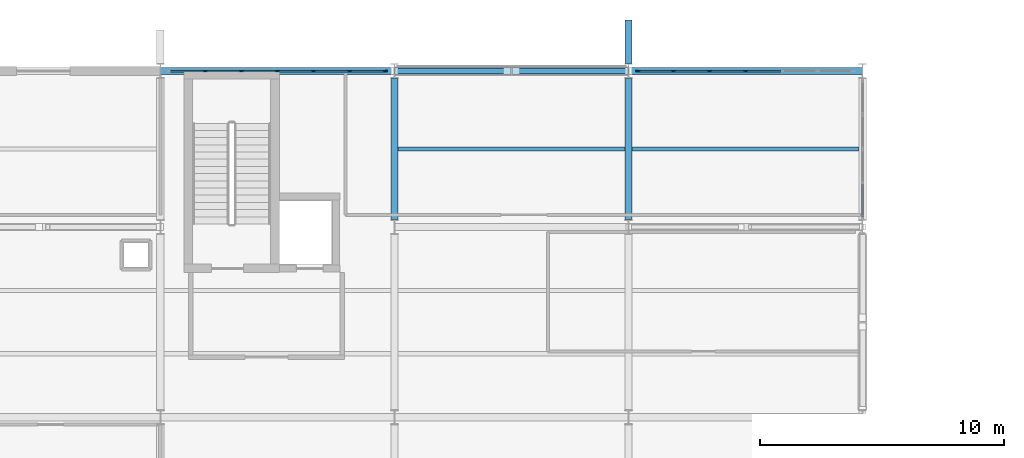
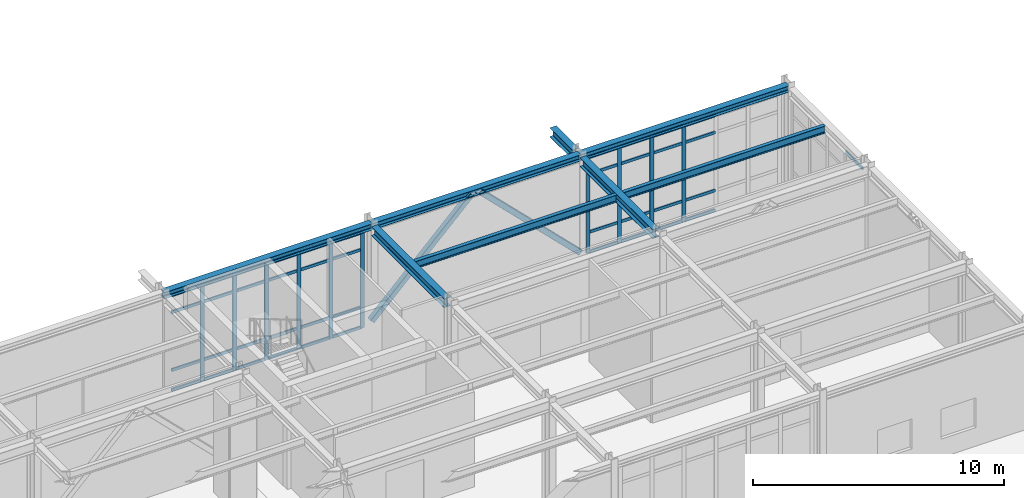
# One storey, part 62 of 109: 53 members, 8 beams, 3 elements without a shape of their own.
"""IFC4 building model written with IfcOpenShell, lengths in metres."""

from ifc_helpers import new_model, si_unit, direction, frame, origin, origin_2d, place, context, subcontext, project, spatial, rectangle, hollow_rectangle, i_section, extrude, material, layer, layer_set, material_profile, profile_set, type_object, element, aggregate, save


model = new_model("IFC4")

# Units and contexts
model_context = context("Model", 3, precision=1e-05, world=origin(), true_north=direction((0.0, 1.0)))
body_context = subcontext(model_context, "Body", "Model", "MODEL_VIEW")
ifc_project = project(units=[si_unit("LENGTHUNIT", "METRE"), si_unit("AREAUNIT", "SQUARE_METRE"), si_unit("VOLUMEUNIT", "CUBIC_METRE"), si_unit("PLANEANGLEUNIT", "RADIAN"), si_unit("MASSUNIT", "GRAM", prefix="KILO")], contexts=[model_context])

# Site, building, storey
site_placement = place(None, origin())
site = spatial("IfcSite", under=ifc_project, at=site_placement, CompositionType="ELEMENT")
building_placement = place(site_placement, origin())
building = spatial("IfcBuilding", under=site, at=building_placement, Name="Nordkorset Police Headquarters", CompositionType="ELEMENT")
storey_placement = place(building_placement, origin())
storey = spatial("IfcBuildingStorey", under=building, at=storey_placement, Name="L00", CompositionType="ELEMENT", Elevation=0.0)

# Beams
ifc_material_1 = material(Name="Steel S355J2", Category="steel")
ifc_material_profile_1 = material_profile(ifc_material_1, i_section(OverallWidth=0.169921875, OverallDepth=0.360107421875, WebThickness=0.008056640625, FlangeThickness=0.0126953125, FilletRadius=0.01806640625, at=origin_2d()), Name="IPE 360")
ifc_profile_set_1 = profile_set([ifc_material_profile_1], Name="Steel S355J2")
beam_type_1 = type_object("IfcBeamType", Name="Beam_IPE_360", PredefinedType="BEAM", material=ifc_profile_set_1)
beam_1_placement = place(storey_placement, frame((67.35009765625, 113.60009765625, 4.820068359375), z_axis=(1.0, 0.0, 0.0), x_axis=(0.0, 1.0, 0.0)))
element("IfcBeam", 1, at=beam_1_placement, inside=storey, type_object=beam_type_1, Name="Composite Floor Beam V2 L00 4-2-1", PredefinedType="BEAM", context=body_context, shape_type="SweptSolid", body=[
    extrude(i_section(OverallWidth=0.169921875, OverallDepth=0.360107421875, WebThickness=0.008056640625, FlangeThickness=0.0126953125, FilletRadius=0.01806640625, at=origin_2d()), origin(), (0.0, 0.0, 1.0), 9.2998046875),
])
beam_2_placement = place(storey_placement, frame((76.949951171875, 113.60009765625, 4.820068359375), z_axis=(1.0, 0.0, 0.0), x_axis=(0.0, 1.0, 0.0)))
element("IfcBeam", 2, at=beam_2_placement, inside=storey, type_object=beam_type_1, Name="Composite Floor Beam V2 L00 5-2-1", PredefinedType="BEAM", context=body_context, shape_type="SweptSolid", body=[
    extrude(i_section(OverallWidth=0.169921875, OverallDepth=0.360107421875, WebThickness=0.008056640625, FlangeThickness=0.0126953125, FilletRadius=0.01806640625, at=origin_2d()), origin(), (0.0, 0.0, 1.0), 9.300048828125),
])

# Members
ifc_material_2 = material(Name="Steel S355J2", Category="steel")
ifc_material_profile_2 = material_profile(ifc_material_2, hollow_rectangle(XDim=0.25, YDim=0.25, WallThickness=0.012451171875, InnerFilletRadius=0.012451171875, OuterFilletRadius=0.02490234375, at=origin_2d()), Name="SHS 250x250x12.5")
ifc_profile_set_2 = profile_set([ifc_material_profile_2], Name="Steel S355J2")
member_type_1 = type_object("IfcMemberType", Name="Brace_SHS_250x250x12.5", PredefinedType="BRACE", material=ifc_profile_set_2)
for number, where, z_axis, x_axis, name in (
    (3, (67.207763671875, 116.800048828125, 0.199951171875), (0.70958138841, 0.0, 0.704623483303), (0.0, 1.0, 0.0), "Lateral Chevron Brace BF-EXT-V2N4 L00 D1"),
    (4, (76.792236328125, 116.800048828125, 0.199951171875), (-0.70958138841, 0.0, 0.704623483303), (0.0, -1.0, 0.0), "Lateral Chevron Brace BF-EXT-V2N4 L00 D2"),
):
    element("IfcMember", number, at=place(storey_placement, frame(where, z_axis=z_axis, x_axis=x_axis)), inside=storey, type_object=member_type_1, Name=name, PredefinedType="BRACE", context=body_context, shape_type="SweptSolid", body=[
        extrude(hollow_rectangle(XDim=0.25, YDim=0.25, WallThickness=0.012451171875, InnerFilletRadius=0.012451171875, OuterFilletRadius=0.02490234375, at=origin_2d()), origin(), (0.0, 0.0, 1.0), 6.5),
    ])

# Curtain wall, members
ifc_material_3 = material(Name="Aluminium alloy AW-6060", Category="aluminium")
ifc_layer_1 = layer(ifc_material_3, 0.179931640625, Name="Aluminium alloy AW-6060")
ifc_layer_set_1 = layer_set([ifc_layer_1], Name="Aluminium alloy AW-6060")
curtain_wall_type_1 = type_object("IfcCurtainWallType", Name="CW_Unit_888x467", PredefinedType="USERDEFINED", material=ifc_layer_set_1)
curtain_wall_1_placement = place(storey_placement, origin())
curtain_wall_1 = element("IfcCurtainWall", 5, at=curtain_wall_1_placement, inside=storey, type_object=curtain_wall_type_1, Name="Unitised Curtain Wall L00 V2N-3", ObjectType="UNITISED CURTAIN WALL", PredefinedType="USERDEFINED")
ifc_material_4 = material(Name="Aluminium alloy AW-6060", Category="aluminium")
ifc_material_profile_3 = material_profile(ifc_material_4, rectangle(XDim=0.06494140625, YDim=0.179931640625, at=origin_2d()), Name="ALU MULL 65x180")
ifc_profile_set_3 = profile_set([ifc_material_profile_3], Name="Aluminium alloy AW-6060")
member_type_2 = type_object("IfcMemberType", Name="CW_Mullion_65x180", PredefinedType="MULLION", material=ifc_profile_set_3)
member_1_placement = place(storey_placement, frame((59.43994140625, 116.800048828125, 0.0), z_axis=(0.0, 0.0, 1.0), x_axis=(0.0, 1.0, 0.0)))
member_1 = element("IfcMember", 6, at=member_1_placement, type_object=member_type_2, Name="CW-51 mullion 2", PredefinedType="MULLION", context=body_context, shape_type="SweptSolid", body=[
    extrude(rectangle(XDim=0.06494140625, YDim=0.179931640625, at=origin_2d()), origin(), (0.0, 0.0, 1.0), 4.669921875),
])
member_2_placement = place(storey_placement, frame((60.919921875, 116.800048828125, 0.0), z_axis=(0.0, 0.0, 1.0), x_axis=(0.0, 1.0, 0.0)))
member_2 = element("IfcMember", 7, at=member_2_placement, type_object=member_type_2, Name="CW-51 mullion 3", PredefinedType="MULLION", context=body_context, shape_type="SweptSolid", body=[
    extrude(rectangle(XDim=0.06494140625, YDim=0.179931640625, at=origin_2d()), origin(), (0.0, 0.0, 1.0), 4.669921875),
])
member_3_placement = place(storey_placement, frame((62.39990234375, 116.800048828125, 0.0), z_axis=(0.0, 0.0, 1.0), x_axis=(0.0, 1.0, 0.0)))
member_3 = element("IfcMember", 8, at=member_3_placement, type_object=member_type_2, Name="CW-51 mullion 4", PredefinedType="MULLION", context=body_context, shape_type="SweptSolid", body=[
    extrude(rectangle(XDim=0.06494140625, YDim=0.179931640625, at=origin_2d()), origin(), (0.0, 0.0, 1.0), 4.669921875),
])
member_4_placement = place(storey_placement, frame((63.8798828125, 116.800048828125, 0.0), z_axis=(0.0, 0.0, 1.0), x_axis=(0.0, 1.0, 0.0)))
member_4 = element("IfcMember", 9, at=member_4_placement, type_object=member_type_2, Name="CW-51 mullion 5", PredefinedType="MULLION", context=body_context, shape_type="SweptSolid", body=[
    extrude(rectangle(XDim=0.06494140625, YDim=0.179931640625, at=origin_2d()), origin(), (0.0, 0.0, 1.0), 4.669921875),
])
member_5_placement = place(storey_placement, frame((65.360107421875, 116.800048828125, 0.0), z_axis=(0.0, 0.0, 1.0), x_axis=(0.0, 1.0, 0.0)))
member_5 = element("IfcMember", 10, at=member_5_placement, type_object=member_type_2, Name="CW-51 mullion 6", PredefinedType="MULLION", context=body_context, shape_type="SweptSolid", body=[
    extrude(rectangle(XDim=0.06494140625, YDim=0.179931640625, at=origin_2d()), origin(), (0.0, 0.0, 1.0), 4.669921875),
])
member_6_placement = place(storey_placement, frame((66.8076171875, 116.800048828125, 0.0), z_axis=(0.0, 0.0, 1.0), x_axis=(0.0, 1.0, 0.0)))
member_6 = element("IfcMember", 11, at=member_6_placement, type_object=member_type_2, Name="CW-51 mullion 7", PredefinedType="MULLION", context=body_context, shape_type="SweptSolid", body=[
    extrude(rectangle(XDim=0.06494140625, YDim=0.179931640625, at=origin_2d()), origin(), (0.0, 0.0, 1.0), 4.669921875),
])

curtain_wall_2_placement = place(storey_placement, origin())
curtain_wall_2 = element("IfcCurtainWall", 12, at=curtain_wall_2_placement, inside=storey, type_object=curtain_wall_type_1, Name="Unitised Curtain Wall L00 V2N-5", ObjectType="UNITISED CURTAIN WALL", PredefinedType="USERDEFINED")
member_7_placement = place(storey_placement, frame((77.1923828125, 116.800048828125, 0.0), z_axis=(0.0, 0.0, 1.0), x_axis=(0.0, 1.0, 0.0)))
member_7 = element("IfcMember", 13, at=member_7_placement, type_object=member_type_2, Name="CW-51 mullion 1", PredefinedType="MULLION", context=body_context, shape_type="SweptSolid", body=[
    extrude(rectangle(XDim=0.06494140625, YDim=0.179931640625, at=origin_2d()), origin(), (0.0, 0.0, 1.0), 4.669921875),
])
member_8_placement = place(storey_placement, frame((78.639892578125, 116.800048828125, 0.0), z_axis=(0.0, 0.0, 1.0), x_axis=(0.0, 1.0, 0.0)))
member_8 = element("IfcMember", 14, at=member_8_placement, type_object=member_type_2, Name="CW-51 mullion 2", PredefinedType="MULLION", context=body_context, shape_type="SweptSolid", body=[
    extrude(rectangle(XDim=0.06494140625, YDim=0.179931640625, at=origin_2d()), origin(), (0.0, 0.0, 1.0), 4.669921875),
])
member_9_placement = place(storey_placement, frame((80.1201171875, 116.800048828125, 0.0), z_axis=(0.0, 0.0, 1.0), x_axis=(0.0, 1.0, 0.0)))
member_9 = element("IfcMember", 15, at=member_9_placement, type_object=member_type_2, Name="CW-51 mullion 3", PredefinedType="MULLION", context=body_context, shape_type="SweptSolid", body=[
    extrude(rectangle(XDim=0.06494140625, YDim=0.179931640625, at=origin_2d()), origin(), (0.0, 0.0, 1.0), 4.669921875),
])
member_10_placement = place(storey_placement, frame((81.60009765625, 116.800048828125, 0.0), z_axis=(0.0, 0.0, 1.0), x_axis=(0.0, 1.0, 0.0)))
member_10 = element("IfcMember", 16, at=member_10_placement, type_object=member_type_2, Name="CW-51 mullion 4", PredefinedType="MULLION", context=body_context, shape_type="SweptSolid", body=[
    extrude(rectangle(XDim=0.06494140625, YDim=0.179931640625, at=origin_2d()), origin(), (0.0, 0.0, 1.0), 4.669921875),
])

# Member
ifc_material_5 = material(Name="Aluminium alloy AW-6060", Category="aluminium")
ifc_material_profile_4 = material_profile(ifc_material_5, rectangle(XDim=0.06494140625, YDim=0.139892578125, at=origin_2d()), Name="ALU TRAN 65x140")
ifc_profile_set_4 = profile_set([ifc_material_profile_4], Name="Aluminium alloy AW-6060")
member_type_3 = type_object("IfcMemberType", Name="CW_Transom_65x140", PredefinedType="USERDEFINED", material=ifc_profile_set_4)
member_11_placement = place(storey_placement, frame((58.02490234375, 116.800048828125, 0.032470703125), z_axis=(1.0, 0.0, 0.0), x_axis=(0.0, 1.0, 0.0)))
member_11 = element("IfcMember", 17, at=member_11_placement, type_object=member_type_3, Name="CW-51 transom 1.1", ObjectType="TRANSOM", PredefinedType="USERDEFINED", context=body_context, shape_type="SweptSolid", body=[
    extrude(rectangle(XDim=0.06494140625, YDim=0.139892578125, at=origin_2d()), origin(), (0.0, 0.0, 1.0), 1.382568359375),
])

member_12_placement = place(storey_placement, frame((58.02490234375, 116.800048828125, 1.0), z_axis=(1.0, 0.0, 0.0), x_axis=(0.0, 1.0, 0.0)))
member_12 = element("IfcMember", 18, at=member_12_placement, type_object=member_type_3, Name="CW-51 transom 1.2", ObjectType="TRANSOM", PredefinedType="USERDEFINED", context=body_context, shape_type="SweptSolid", body=[
    extrude(rectangle(XDim=0.06494140625, YDim=0.139892578125, at=origin_2d()), origin(), (0.0, 0.0, 1.0), 1.382568359375),
])

member_13_placement = place(storey_placement, frame((58.02490234375, 116.800048828125, 3.820068359375), z_axis=(1.0, 0.0, 0.0), x_axis=(0.0, 1.0, 0.0)))
member_13 = element("IfcMember", 19, at=member_13_placement, type_object=member_type_3, Name="CW-51 transom 1.3", ObjectType="TRANSOM", PredefinedType="USERDEFINED", context=body_context, shape_type="SweptSolid", body=[
    extrude(rectangle(XDim=0.06494140625, YDim=0.139892578125, at=origin_2d()), origin(), (0.0, 0.0, 1.0), 1.382568359375),
])

member_14_placement = place(storey_placement, frame((58.02490234375, 116.800048828125, 4.637451171875), z_axis=(1.0, 0.0, 0.0), x_axis=(0.0, 1.0, 0.0)))
member_14 = element("IfcMember", 20, at=member_14_placement, type_object=member_type_3, Name="CW-51 transom 1.4", ObjectType="TRANSOM", PredefinedType="USERDEFINED", context=body_context, shape_type="SweptSolid", body=[
    extrude(rectangle(XDim=0.06494140625, YDim=0.139892578125, at=origin_2d()), origin(), (0.0, 0.0, 1.0), 1.382568359375),
])

member_15_placement = place(storey_placement, frame((59.472412109375, 116.800048828125, 0.032470703125), z_axis=(1.0, 0.0, 0.0), x_axis=(0.0, 1.0, 0.0)))
member_15 = element("IfcMember", 21, at=member_15_placement, type_object=member_type_3, Name="CW-51 transom 2.1", ObjectType="TRANSOM", PredefinedType="USERDEFINED", context=body_context, shape_type="SweptSolid", body=[
    extrude(rectangle(XDim=0.06494140625, YDim=0.139892578125, at=origin_2d()), origin(), (0.0, 0.0, 1.0), 1.4150390625),
])

member_16_placement = place(storey_placement, frame((59.472412109375, 116.800048828125, 1.0), z_axis=(1.0, 0.0, 0.0), x_axis=(0.0, 1.0, 0.0)))
member_16 = element("IfcMember", 22, at=member_16_placement, type_object=member_type_3, Name="CW-51 transom 2.2", ObjectType="TRANSOM", PredefinedType="USERDEFINED", context=body_context, shape_type="SweptSolid", body=[
    extrude(rectangle(XDim=0.06494140625, YDim=0.139892578125, at=origin_2d()), origin(), (0.0, 0.0, 1.0), 1.4150390625),
])

member_17_placement = place(storey_placement, frame((59.472412109375, 116.800048828125, 3.820068359375), z_axis=(1.0, 0.0, 0.0), x_axis=(0.0, 1.0, 0.0)))
member_17 = element("IfcMember", 23, at=member_17_placement, type_object=member_type_3, Name="CW-51 transom 2.3", ObjectType="TRANSOM", PredefinedType="USERDEFINED", context=body_context, shape_type="SweptSolid", body=[
    extrude(rectangle(XDim=0.06494140625, YDim=0.139892578125, at=origin_2d()), origin(), (0.0, 0.0, 1.0), 1.4150390625),
])

member_18_placement = place(storey_placement, frame((59.472412109375, 116.800048828125, 4.637451171875), z_axis=(1.0, 0.0, 0.0), x_axis=(0.0, 1.0, 0.0)))
member_18 = element("IfcMember", 24, at=member_18_placement, type_object=member_type_3, Name="CW-51 transom 2.4", ObjectType="TRANSOM", PredefinedType="USERDEFINED", context=body_context, shape_type="SweptSolid", body=[
    extrude(rectangle(XDim=0.06494140625, YDim=0.139892578125, at=origin_2d()), origin(), (0.0, 0.0, 1.0), 1.4150390625),
])

member_19_placement = place(storey_placement, frame((60.952392578125, 116.800048828125, 0.032470703125), z_axis=(1.0, 0.0, 0.0), x_axis=(0.0, 1.0, 0.0)))
member_19 = element("IfcMember", 25, at=member_19_placement, type_object=member_type_3, Name="CW-51 transom 3.1", ObjectType="TRANSOM", PredefinedType="USERDEFINED", context=body_context, shape_type="SweptSolid", body=[
    extrude(rectangle(XDim=0.06494140625, YDim=0.139892578125, at=origin_2d()), origin(), (0.0, 0.0, 1.0), 1.4150390625),
])

member_20_placement = place(storey_placement, frame((60.952392578125, 116.800048828125, 1.0), z_axis=(1.0, 0.0, 0.0), x_axis=(0.0, 1.0, 0.0)))
member_20 = element("IfcMember", 26, at=member_20_placement, type_object=member_type_3, Name="CW-51 transom 3.2", ObjectType="TRANSOM", PredefinedType="USERDEFINED", context=body_context, shape_type="SweptSolid", body=[
    extrude(rectangle(XDim=0.06494140625, YDim=0.139892578125, at=origin_2d()), origin(), (0.0, 0.0, 1.0), 1.4150390625),
])

member_21_placement = place(storey_placement, frame((60.952392578125, 116.800048828125, 3.820068359375), z_axis=(1.0, 0.0, 0.0), x_axis=(0.0, 1.0, 0.0)))
member_21 = element("IfcMember", 27, at=member_21_placement, type_object=member_type_3, Name="CW-51 transom 3.3", ObjectType="TRANSOM", PredefinedType="USERDEFINED", context=body_context, shape_type="SweptSolid", body=[
    extrude(rectangle(XDim=0.06494140625, YDim=0.139892578125, at=origin_2d()), origin(), (0.0, 0.0, 1.0), 1.4150390625),
])

member_22_placement = place(storey_placement, frame((60.952392578125, 116.800048828125, 4.637451171875), z_axis=(1.0, 0.0, 0.0), x_axis=(0.0, 1.0, 0.0)))
member_22 = element("IfcMember", 28, at=member_22_placement, type_object=member_type_3, Name="CW-51 transom 3.4", ObjectType="TRANSOM", PredefinedType="USERDEFINED", context=body_context, shape_type="SweptSolid", body=[
    extrude(rectangle(XDim=0.06494140625, YDim=0.139892578125, at=origin_2d()), origin(), (0.0, 0.0, 1.0), 1.4150390625),
])

member_23_placement = place(storey_placement, frame((62.4326171875, 116.800048828125, 0.032470703125), z_axis=(1.0, 0.0, 0.0), x_axis=(0.0, 1.0, 0.0)))
member_23 = element("IfcMember", 29, at=member_23_placement, type_object=member_type_3, Name="CW-51 transom 4.1", ObjectType="TRANSOM", PredefinedType="USERDEFINED", context=body_context, shape_type="SweptSolid", body=[
    extrude(rectangle(XDim=0.06494140625, YDim=0.139892578125, at=origin_2d()), origin(), (0.0, 0.0, 1.0), 1.414794921875),
])

member_24_placement = place(storey_placement, frame((62.4326171875, 116.800048828125, 1.0), z_axis=(1.0, 0.0, 0.0), x_axis=(0.0, 1.0, 0.0)))
member_24 = element("IfcMember", 30, at=member_24_placement, type_object=member_type_3, Name="CW-51 transom 4.2", ObjectType="TRANSOM", PredefinedType="USERDEFINED", context=body_context, shape_type="SweptSolid", body=[
    extrude(rectangle(XDim=0.06494140625, YDim=0.139892578125, at=origin_2d()), origin(), (0.0, 0.0, 1.0), 1.414794921875),
])

member_25_placement = place(storey_placement, frame((62.4326171875, 116.800048828125, 3.820068359375), z_axis=(1.0, 0.0, 0.0), x_axis=(0.0, 1.0, 0.0)))
member_25 = element("IfcMember", 31, at=member_25_placement, type_object=member_type_3, Name="CW-51 transom 4.3", ObjectType="TRANSOM", PredefinedType="USERDEFINED", context=body_context, shape_type="SweptSolid", body=[
    extrude(rectangle(XDim=0.06494140625, YDim=0.139892578125, at=origin_2d()), origin(), (0.0, 0.0, 1.0), 1.414794921875),
])

member_26_placement = place(storey_placement, frame((62.4326171875, 116.800048828125, 4.637451171875), z_axis=(1.0, 0.0, 0.0), x_axis=(0.0, 1.0, 0.0)))
member_26 = element("IfcMember", 32, at=member_26_placement, type_object=member_type_3, Name="CW-51 transom 4.4", ObjectType="TRANSOM", PredefinedType="USERDEFINED", context=body_context, shape_type="SweptSolid", body=[
    extrude(rectangle(XDim=0.06494140625, YDim=0.139892578125, at=origin_2d()), origin(), (0.0, 0.0, 1.0), 1.414794921875),
])

member_27_placement = place(storey_placement, frame((63.91259765625, 116.800048828125, 0.032470703125), z_axis=(1.0, 0.0, 0.0), x_axis=(0.0, 1.0, 0.0)))
member_27 = element("IfcMember", 33, at=member_27_placement, type_object=member_type_3, Name="CW-51 transom 5.1", ObjectType="TRANSOM", PredefinedType="USERDEFINED", context=body_context, shape_type="SweptSolid", body=[
    extrude(rectangle(XDim=0.06494140625, YDim=0.139892578125, at=origin_2d()), origin(), (0.0, 0.0, 1.0), 1.414794921875),
])

member_28_placement = place(storey_placement, frame((63.91259765625, 116.800048828125, 1.0), z_axis=(1.0, 0.0, 0.0), x_axis=(0.0, 1.0, 0.0)))
member_28 = element("IfcMember", 34, at=member_28_placement, type_object=member_type_3, Name="CW-51 transom 5.2", ObjectType="TRANSOM", PredefinedType="USERDEFINED", context=body_context, shape_type="SweptSolid", body=[
    extrude(rectangle(XDim=0.06494140625, YDim=0.139892578125, at=origin_2d()), origin(), (0.0, 0.0, 1.0), 1.414794921875),
])

member_29_placement = place(storey_placement, frame((63.91259765625, 116.800048828125, 3.820068359375), z_axis=(1.0, 0.0, 0.0), x_axis=(0.0, 1.0, 0.0)))
member_29 = element("IfcMember", 35, at=member_29_placement, type_object=member_type_3, Name="CW-51 transom 5.3", ObjectType="TRANSOM", PredefinedType="USERDEFINED", context=body_context, shape_type="SweptSolid", body=[
    extrude(rectangle(XDim=0.06494140625, YDim=0.139892578125, at=origin_2d()), origin(), (0.0, 0.0, 1.0), 1.414794921875),
])

member_30_placement = place(storey_placement, frame((63.91259765625, 116.800048828125, 4.637451171875), z_axis=(1.0, 0.0, 0.0), x_axis=(0.0, 1.0, 0.0)))
member_30 = element("IfcMember", 36, at=member_30_placement, type_object=member_type_3, Name="CW-51 transom 5.4", ObjectType="TRANSOM", PredefinedType="USERDEFINED", context=body_context, shape_type="SweptSolid", body=[
    extrude(rectangle(XDim=0.06494140625, YDim=0.139892578125, at=origin_2d()), origin(), (0.0, 0.0, 1.0), 1.414794921875),
])

member_31_placement = place(storey_placement, frame((65.392578125, 116.800048828125, 0.032470703125), z_axis=(1.0, 0.0, 0.0), x_axis=(0.0, 1.0, 0.0)))
member_31 = element("IfcMember", 37, at=member_31_placement, type_object=member_type_3, Name="CW-51 transom 6.1", ObjectType="TRANSOM", PredefinedType="USERDEFINED", context=body_context, shape_type="SweptSolid", body=[
    extrude(rectangle(XDim=0.06494140625, YDim=0.139892578125, at=origin_2d()), origin(), (0.0, 0.0, 1.0), 1.38232421875),
])

member_32_placement = place(storey_placement, frame((65.392578125, 116.800048828125, 1.0), z_axis=(1.0, 0.0, 0.0), x_axis=(0.0, 1.0, 0.0)))
member_32 = element("IfcMember", 38, at=member_32_placement, type_object=member_type_3, Name="CW-51 transom 6.2", ObjectType="TRANSOM", PredefinedType="USERDEFINED", context=body_context, shape_type="SweptSolid", body=[
    extrude(rectangle(XDim=0.06494140625, YDim=0.139892578125, at=origin_2d()), origin(), (0.0, 0.0, 1.0), 1.38232421875),
])

member_33_placement = place(storey_placement, frame((65.392578125, 116.800048828125, 3.820068359375), z_axis=(1.0, 0.0, 0.0), x_axis=(0.0, 1.0, 0.0)))
member_33 = element("IfcMember", 39, at=member_33_placement, type_object=member_type_3, Name="CW-51 transom 6.3", ObjectType="TRANSOM", PredefinedType="USERDEFINED", context=body_context, shape_type="SweptSolid", body=[
    extrude(rectangle(XDim=0.06494140625, YDim=0.139892578125, at=origin_2d()), origin(), (0.0, 0.0, 1.0), 1.38232421875),
])

member_34_placement = place(storey_placement, frame((65.392578125, 116.800048828125, 4.637451171875), z_axis=(1.0, 0.0, 0.0), x_axis=(0.0, 1.0, 0.0)))
member_34 = element("IfcMember", 40, at=member_34_placement, type_object=member_type_3, Name="CW-51 transom 6.4", ObjectType="TRANSOM", PredefinedType="USERDEFINED", context=body_context, shape_type="SweptSolid", body=[
    extrude(rectangle(XDim=0.06494140625, YDim=0.139892578125, at=origin_2d()), origin(), (0.0, 0.0, 1.0), 1.38232421875),
])

aggregate(curtain_wall_1, [member_1, member_2, member_3, member_4, member_5, member_6, member_11, member_12, member_13, member_14, member_15, member_16, member_17, member_18, member_19, member_20, member_21, member_22, member_23, member_24, member_25, member_26, member_27, member_28, member_29, member_30, member_31, member_32, member_33, member_34])

member_35_placement = place(storey_placement, frame((77.22509765625, 116.800048828125, 0.032470703125), z_axis=(1.0, 0.0, 0.0), x_axis=(0.0, 1.0, 0.0)))
member_35 = element("IfcMember", 41, at=member_35_placement, type_object=member_type_3, Name="CW-51 transom 1.1", ObjectType="TRANSOM", PredefinedType="USERDEFINED", context=body_context, shape_type="SweptSolid", body=[
    extrude(rectangle(XDim=0.06494140625, YDim=0.139892578125, at=origin_2d()), origin(), (0.0, 0.0, 1.0), 1.38232421875),
])

member_36_placement = place(storey_placement, frame((77.22509765625, 116.800048828125, 1.0), z_axis=(1.0, 0.0, 0.0), x_axis=(0.0, 1.0, 0.0)))
member_36 = element("IfcMember", 42, at=member_36_placement, type_object=member_type_3, Name="CW-51 transom 1.2", ObjectType="TRANSOM", PredefinedType="USERDEFINED", context=body_context, shape_type="SweptSolid", body=[
    extrude(rectangle(XDim=0.06494140625, YDim=0.139892578125, at=origin_2d()), origin(), (0.0, 0.0, 1.0), 1.38232421875),
])

member_37_placement = place(storey_placement, frame((77.22509765625, 116.800048828125, 3.820068359375), z_axis=(1.0, 0.0, 0.0), x_axis=(0.0, 1.0, 0.0)))
member_37 = element("IfcMember", 43, at=member_37_placement, type_object=member_type_3, Name="CW-51 transom 1.3", ObjectType="TRANSOM", PredefinedType="USERDEFINED", context=body_context, shape_type="SweptSolid", body=[
    extrude(rectangle(XDim=0.06494140625, YDim=0.139892578125, at=origin_2d()), origin(), (0.0, 0.0, 1.0), 1.38232421875),
])

member_38_placement = place(storey_placement, frame((77.22509765625, 116.800048828125, 4.637451171875), z_axis=(1.0, 0.0, 0.0), x_axis=(0.0, 1.0, 0.0)))
member_38 = element("IfcMember", 44, at=member_38_placement, type_object=member_type_3, Name="CW-51 transom 1.4", ObjectType="TRANSOM", PredefinedType="USERDEFINED", context=body_context, shape_type="SweptSolid", body=[
    extrude(rectangle(XDim=0.06494140625, YDim=0.139892578125, at=origin_2d()), origin(), (0.0, 0.0, 1.0), 1.38232421875),
])

member_39_placement = place(storey_placement, frame((78.672607421875, 116.800048828125, 0.032470703125), z_axis=(1.0, 0.0, 0.0), x_axis=(0.0, 1.0, 0.0)))
member_39 = element("IfcMember", 45, at=member_39_placement, type_object=member_type_3, Name="CW-51 transom 2.1", ObjectType="TRANSOM", PredefinedType="USERDEFINED", context=body_context, shape_type="SweptSolid", body=[
    extrude(rectangle(XDim=0.06494140625, YDim=0.139892578125, at=origin_2d()), origin(), (0.0, 0.0, 1.0), 1.414794921875),
])

member_40_placement = place(storey_placement, frame((78.672607421875, 116.800048828125, 1.0), z_axis=(1.0, 0.0, 0.0), x_axis=(0.0, 1.0, 0.0)))
member_40 = element("IfcMember", 46, at=member_40_placement, type_object=member_type_3, Name="CW-51 transom 2.2", ObjectType="TRANSOM", PredefinedType="USERDEFINED", context=body_context, shape_type="SweptSolid", body=[
    extrude(rectangle(XDim=0.06494140625, YDim=0.139892578125, at=origin_2d()), origin(), (0.0, 0.0, 1.0), 1.414794921875),
])

member_41_placement = place(storey_placement, frame((78.672607421875, 116.800048828125, 3.820068359375), z_axis=(1.0, 0.0, 0.0), x_axis=(0.0, 1.0, 0.0)))
member_41 = element("IfcMember", 47, at=member_41_placement, type_object=member_type_3, Name="CW-51 transom 2.3", ObjectType="TRANSOM", PredefinedType="USERDEFINED", context=body_context, shape_type="SweptSolid", body=[
    extrude(rectangle(XDim=0.06494140625, YDim=0.139892578125, at=origin_2d()), origin(), (0.0, 0.0, 1.0), 1.414794921875),
])

member_42_placement = place(storey_placement, frame((78.672607421875, 116.800048828125, 4.637451171875), z_axis=(1.0, 0.0, 0.0), x_axis=(0.0, 1.0, 0.0)))
member_42 = element("IfcMember", 48, at=member_42_placement, type_object=member_type_3, Name="CW-51 transom 2.4", ObjectType="TRANSOM", PredefinedType="USERDEFINED", context=body_context, shape_type="SweptSolid", body=[
    extrude(rectangle(XDim=0.06494140625, YDim=0.139892578125, at=origin_2d()), origin(), (0.0, 0.0, 1.0), 1.414794921875),
])

member_43_placement = place(storey_placement, frame((80.152587890625, 116.800048828125, 0.032470703125), z_axis=(1.0, 0.0, 0.0), x_axis=(0.0, 1.0, 0.0)))
member_43 = element("IfcMember", 49, at=member_43_placement, type_object=member_type_3, Name="CW-51 transom 3.1", ObjectType="TRANSOM", PredefinedType="USERDEFINED", context=body_context, shape_type="SweptSolid", body=[
    extrude(rectangle(XDim=0.06494140625, YDim=0.139892578125, at=origin_2d()), origin(), (0.0, 0.0, 1.0), 1.414794921875),
])

member_44_placement = place(storey_placement, frame((80.152587890625, 116.800048828125, 1.0), z_axis=(1.0, 0.0, 0.0), x_axis=(0.0, 1.0, 0.0)))
member_44 = element("IfcMember", 50, at=member_44_placement, type_object=member_type_3, Name="CW-51 transom 3.2", ObjectType="TRANSOM", PredefinedType="USERDEFINED", context=body_context, shape_type="SweptSolid", body=[
    extrude(rectangle(XDim=0.06494140625, YDim=0.139892578125, at=origin_2d()), origin(), (0.0, 0.0, 1.0), 1.414794921875),
])

member_45_placement = place(storey_placement, frame((80.152587890625, 116.800048828125, 3.820068359375), z_axis=(1.0, 0.0, 0.0), x_axis=(0.0, 1.0, 0.0)))
member_45 = element("IfcMember", 51, at=member_45_placement, type_object=member_type_3, Name="CW-51 transom 3.3", ObjectType="TRANSOM", PredefinedType="USERDEFINED", context=body_context, shape_type="SweptSolid", body=[
    extrude(rectangle(XDim=0.06494140625, YDim=0.139892578125, at=origin_2d()), origin(), (0.0, 0.0, 1.0), 1.414794921875),
])

member_46_placement = place(storey_placement, frame((80.152587890625, 116.800048828125, 4.637451171875), z_axis=(1.0, 0.0, 0.0), x_axis=(0.0, 1.0, 0.0)))
member_46 = element("IfcMember", 52, at=member_46_placement, type_object=member_type_3, Name="CW-51 transom 3.4", ObjectType="TRANSOM", PredefinedType="USERDEFINED", context=body_context, shape_type="SweptSolid", body=[
    extrude(rectangle(XDim=0.06494140625, YDim=0.139892578125, at=origin_2d()), origin(), (0.0, 0.0, 1.0), 1.414794921875),
])

member_47_placement = place(storey_placement, frame((81.632568359375, 116.800048828125, 0.032470703125), z_axis=(1.0, 0.0, 0.0), x_axis=(0.0, 1.0, 0.0)))
member_47 = element("IfcMember", 53, at=member_47_placement, type_object=member_type_3, Name="CW-51 transom 4.1", ObjectType="TRANSOM", PredefinedType="USERDEFINED", context=body_context, shape_type="SweptSolid", body=[
    extrude(rectangle(XDim=0.06494140625, YDim=0.139892578125, at=origin_2d()), origin(), (0.0, 0.0, 1.0), 1.4150390625),
])

member_48_placement = place(storey_placement, frame((81.632568359375, 116.800048828125, 1.0), z_axis=(1.0, 0.0, 0.0), x_axis=(0.0, 1.0, 0.0)))
member_48 = element("IfcMember", 54, at=member_48_placement, type_object=member_type_3, Name="CW-51 transom 4.2", ObjectType="TRANSOM", PredefinedType="USERDEFINED", context=body_context, shape_type="SweptSolid", body=[
    extrude(rectangle(XDim=0.06494140625, YDim=0.139892578125, at=origin_2d()), origin(), (0.0, 0.0, 1.0), 1.4150390625),
])

member_49_placement = place(storey_placement, frame((81.632568359375, 116.800048828125, 3.820068359375), z_axis=(1.0, 0.0, 0.0), x_axis=(0.0, 1.0, 0.0)))
member_49 = element("IfcMember", 55, at=member_49_placement, type_object=member_type_3, Name="CW-51 transom 4.3", ObjectType="TRANSOM", PredefinedType="USERDEFINED", context=body_context, shape_type="SweptSolid", body=[
    extrude(rectangle(XDim=0.06494140625, YDim=0.139892578125, at=origin_2d()), origin(), (0.0, 0.0, 1.0), 1.4150390625),
])

member_50_placement = place(storey_placement, frame((81.632568359375, 116.800048828125, 4.637451171875), z_axis=(1.0, 0.0, 0.0), x_axis=(0.0, 1.0, 0.0)))
member_50 = element("IfcMember", 56, at=member_50_placement, type_object=member_type_3, Name="CW-51 transom 4.4", ObjectType="TRANSOM", PredefinedType="USERDEFINED", context=body_context, shape_type="SweptSolid", body=[
    extrude(rectangle(XDim=0.06494140625, YDim=0.139892578125, at=origin_2d()), origin(), (0.0, 0.0, 1.0), 1.4150390625),
])

aggregate(curtain_wall_2, [member_7, member_8, member_9, member_10, member_35, member_36, member_37, member_38, member_39, member_40, member_41, member_42, member_43, member_44, member_45, member_46, member_47, member_48, member_49, member_50])

# Curtain wall, member
ifc_material_6 = material(Name="Aluminium alloy AW-6060", Category="aluminium")
ifc_layer_2 = layer(ifc_material_6, 0.179931640625, Name="Aluminium alloy AW-6060")
ifc_layer_set_2 = layer_set([ifc_layer_2], Name="Aluminium alloy AW-6060")
curtain_wall_type_2 = type_object("IfcCurtainWallType", Name="CW_Unit_568x454", PredefinedType="USERDEFINED", material=ifc_layer_set_2)
curtain_wall_3_placement = place(storey_placement, origin())
curtain_wall_3 = element("IfcCurtainWall", 57, at=curtain_wall_3_placement, inside=storey, type_object=curtain_wall_type_2, Name="Unitised Curtain Wall L00 V2E-1", ObjectType="UNITISED CURTAIN WALL", PredefinedType="USERDEFINED")
member_51_placement = place(storey_placement, frame((86.39990234375, 110.824951171875, 4.507568359375), z_axis=(0.0, 1.0, 0.0), x_axis=(-1.0, 0.0, 0.0)))
member_51 = element("IfcMember", 58, at=member_51_placement, type_object=member_type_3, Name="CW-56 transom 1.4", ObjectType="TRANSOM", PredefinedType="USERDEFINED", context=body_context, shape_type="SweptSolid", body=[
    extrude(rectangle(XDim=0.06494140625, YDim=0.139892578125, at=origin_2d()), origin(), (0.0, 0.0, 1.0), 1.322509765625),
])
aggregate(curtain_wall_3, [member_51])

# Beams
ifc_material_7 = material(Name="Steel S355J2", Category="steel")
ifc_material_profile_5 = material_profile(ifc_material_7, i_section(OverallWidth=0.300048828125, OverallDepth=0.43994140625, WebThickness=0.011474609375, FlangeThickness=0.02099609375, FilletRadius=0.027099609375, at=origin_2d()), Name="HEA 450")
ifc_profile_set_5 = profile_set([ifc_material_profile_5], Name="Steel S355J2")
beam_type_2 = type_object("IfcBeamType", Name="Girder_HEA_450", PredefinedType="USERDEFINED", material=ifc_profile_set_5)
for number, where, z_axis, x_axis, name in (
    (59, (67.199951171875, 110.699951171875, 4.780029296875), (0.0, 1.0, 0.0), (-1.0, 0.0, 0.0), "Girder V2 L00 GY-4-2"),
    (60, (76.800048828125, 110.699951171875, 4.780029296875), (0.0, 1.0, 0.0), (-1.0, 0.0, 0.0), "Girder V2 L00 GY-5-2"),
):
    element("IfcBeam", number, at=place(storey_placement, frame(where, z_axis=z_axis, x_axis=x_axis)), inside=storey, type_object=beam_type_2, Name=name, ObjectType="GIRDER", PredefinedType="USERDEFINED", context=body_context, shape_type="SweptSolid", body=[
        extrude(i_section(OverallWidth=0.300048828125, OverallDepth=0.43994140625, WebThickness=0.011474609375, FlangeThickness=0.02099609375, FilletRadius=0.027099609375, at=origin_2d()), origin(), (0.0, 0.0, 1.0), 5.800048828125),
    ])
beam_3_placement = place(storey_placement, frame((76.800048828125, 117.10009765625, 4.780029296875), z_axis=(0.0, 1.0, 0.0), x_axis=(-1.0, 0.0, 0.0)))
element("IfcBeam", 61, at=beam_3_placement, inside=storey, type_object=beam_type_2, Name="Sawtooth Facade Outrigger V2 L00 76", ObjectType="GIRDER", PredefinedType="USERDEFINED", context=body_context, shape_type="SweptSolid", body=[
    extrude(i_section(OverallWidth=0.300048828125, OverallDepth=0.43994140625, WebThickness=0.011474609375, FlangeThickness=0.02099609375, FilletRadius=0.027099609375, at=origin_2d()), origin(), (0.0, 0.0, 1.0), 1.789794921875),
])
ifc_material_8 = material(Name="Steel S355J2", Category="steel")
ifc_material_profile_6 = material_profile(ifc_material_8, i_section(OverallWidth=0.300048828125, OverallDepth=0.31005859375, WebThickness=0.009033203125, FlangeThickness=0.015380859375, FilletRadius=0.027099609375, at=origin_2d()), Name="HEA 320")
ifc_profile_set_6 = profile_set([ifc_material_profile_6], Name="Steel S355J2")
beam_type_3 = type_object("IfcBeamType", Name="Spandrel_HEA_320", PredefinedType="SPANDREL", material=ifc_profile_set_6)
beam_4_placement = place(storey_placement, frame((57.607666015625, 116.800048828125, 4.844970703125), z_axis=(1.0, 0.0, 0.0), x_axis=(0.0, 1.0, 0.0)))
element("IfcBeam", 62, at=beam_4_placement, inside=storey, type_object=beam_type_3, Name="Girder V2 L00 GX-3-3", PredefinedType="SPANDREL", context=body_context, shape_type="SweptSolid", body=[
    extrude(i_section(OverallWidth=0.300048828125, OverallDepth=0.31005859375, WebThickness=0.009033203125, FlangeThickness=0.015380859375, FilletRadius=0.027099609375, at=origin_2d()), origin(), (0.0, 0.0, 1.0), 9.584716796875),
])
beam_5_placement = place(storey_placement, frame((67.207763671875, 116.800048828125, 4.844970703125), z_axis=(1.0, 0.0, 0.0), x_axis=(0.0, 1.0, 0.0)))
element("IfcBeam", 63, at=beam_5_placement, inside=storey, type_object=beam_type_3, Name="Girder V2 L00 GX-3-4", PredefinedType="SPANDREL", context=body_context, shape_type="SweptSolid", body=[
    extrude(i_section(OverallWidth=0.300048828125, OverallDepth=0.31005859375, WebThickness=0.009033203125, FlangeThickness=0.015380859375, FilletRadius=0.027099609375, at=origin_2d()), origin(), (0.0, 0.0, 1.0), 9.58447265625),
])
beam_6_placement = place(storey_placement, frame((76.8076171875, 116.800048828125, 4.844970703125), z_axis=(1.0, 0.0, 0.0), x_axis=(0.0, 1.0, 0.0)))
element("IfcBeam", 64, at=beam_6_placement, inside=storey, type_object=beam_type_3, Name="Girder V2 L00 GX-3-5", PredefinedType="SPANDREL", context=body_context, shape_type="SweptSolid", body=[
    extrude(i_section(OverallWidth=0.300048828125, OverallDepth=0.31005859375, WebThickness=0.009033203125, FlangeThickness=0.015380859375, FilletRadius=0.027099609375, at=origin_2d()), origin(), (0.0, 0.0, 1.0), 9.584716796875),
])

save(model, "model.ifc")
